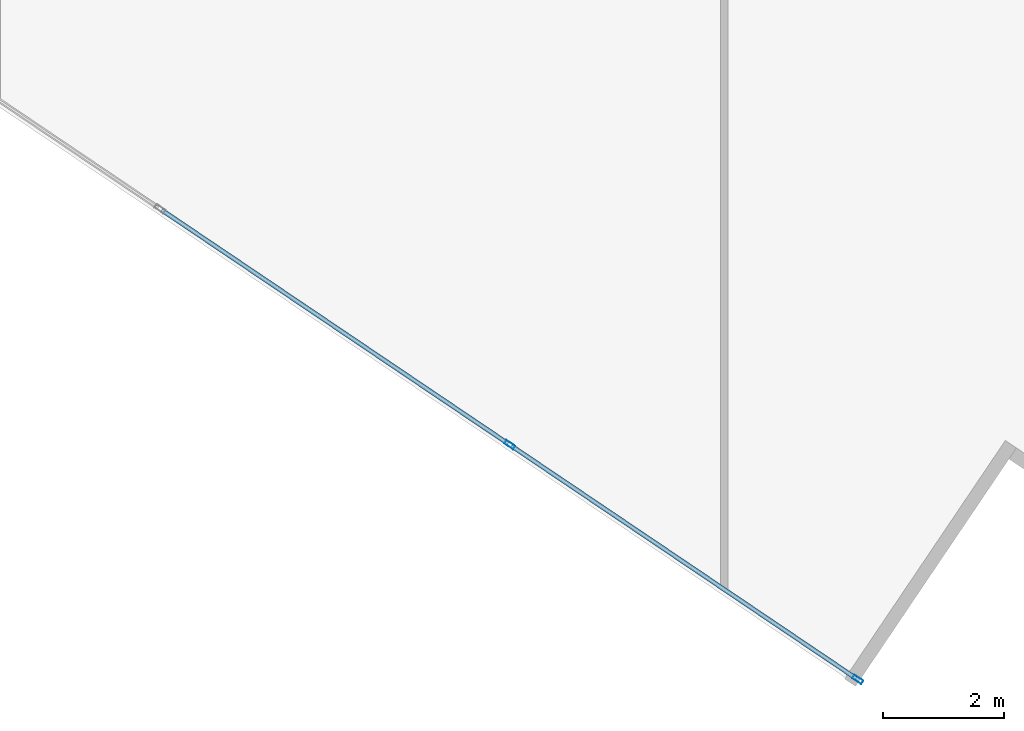
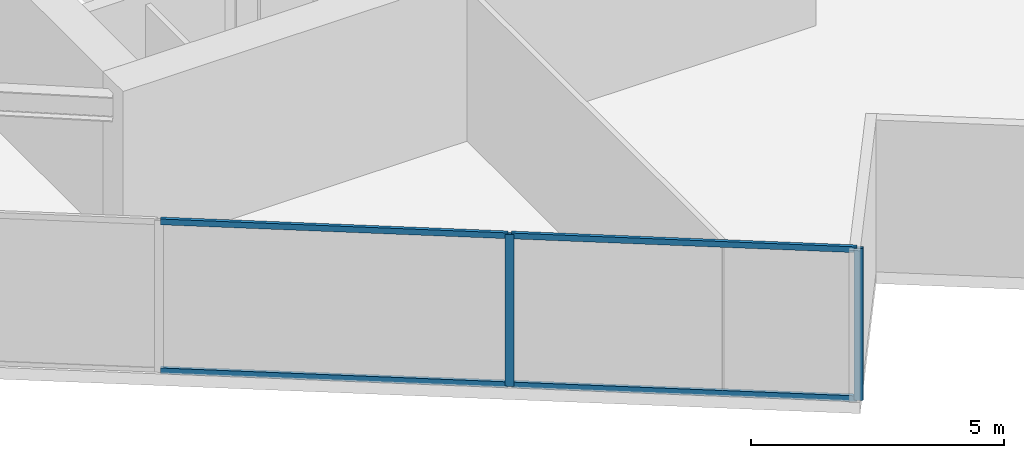
# One storey, part 3 of 27: 6 members, 1 element without a shape of its own.
"""IFC4 building model written with IfcOpenShell, lengths in metres."""

from ifc_helpers import new_model, si_unit, direction, frame, origin, origin_2d, place, context, subcontext, project, spatial, hollow_rectangle, extrude, source, transform, mapped, material, material_profile, profile_set, type_object, type_shapes, element, aggregate, save


model = new_model("IFC4")

# Units and contexts
model_context = context("Model", 3, precision=1e-05, world=origin(), true_north=direction((0.0, 1.0)))
body_context = subcontext(model_context, "Body", "Model", "MODEL_VIEW")
ifc_project = project(units=[si_unit("LENGTHUNIT", "METRE"), si_unit("AREAUNIT", "SQUARE_METRE"), si_unit("VOLUMEUNIT", "CUBIC_METRE"), si_unit("PLANEANGLEUNIT", "RADIAN"), si_unit("MASSUNIT", "GRAM", prefix="KILO")], contexts=[model_context])

# Site, building, storey
site_placement = place(None, origin())
site = spatial("IfcSite", under=ifc_project, at=site_placement, CompositionType="ELEMENT")
building_placement = place(site_placement, origin())
building = spatial("IfcBuilding", under=site, at=building_placement, Name="Krantzveldt Concourse Tower", CompositionType="ELEMENT")
storey_placement = place(building_placement, frame((0.0, 0.0, 189.64990234375)))
storey = spatial("IfcBuildingStorey", under=building, at=storey_placement, Name="L46", CompositionType="ELEMENT", Elevation=189.64990234375)

# Curtain wall, members
ifc_material = material(Name="Anodised aluminium 6063-T6", Category="aluminium")
curtain_wall_type = type_object("IfcCurtainWallType", Name="CW3", PredefinedType="USERDEFINED", material=ifc_material)
curtain_wall_placement = place(storey_placement, origin())
curtain_wall = element("IfcCurtainWall", 1, at=curtain_wall_placement, inside=storey, type_object=curtain_wall_type, Name="CW-L46-F04", ObjectType="UNITISED CURTAIN WALL", PredefinedType="USERDEFINED")
ifc_material_profile_1 = material_profile(ifc_material, hollow_rectangle(XDim=0.070068359375, YDim=0.179931640625, WallThickness=0.0048828125, at=origin_2d()), Name="Anodised aluminium 6063-T6", Category="aluminium")
ifc_profile_set_1 = profile_set([ifc_material_profile_1], Name="Anodised aluminium 6063-T6 - ALU-MULL 180x70x5")
member_type_1 = type_object("IfcMemberType", Name="CW-MUL-180", PredefinedType="MULLION", material=ifc_profile_set_1)
shared_shape_1 = source(origin(), body_context, "Body", "SweptSolid", [
    extrude(hollow_rectangle(XDim=0.070068359375, YDim=0.179931640625, WallThickness=0.0048828125, at=origin_2d()), origin(), (0.0, 0.0, 1.0), 3.670166015625),
])
type_shapes(member_type_1, [shared_shape_1])
member_1_placement = place(storey_placement, frame((32.459228515625, 2.78076171875, 0.0), z_axis=(0.0, 0.0, 1.0), x_axis=(0.559192810447, 0.829037635301, 0.0)))
member_1 = element("IfcMember", 2, at=member_1_placement, type_object=member_type_1, Name="CW-Z34 mullion 5", PredefinedType="MULLION", context=body_context, shape_type="MappedRepresentation", body=[
    mapped(shared_shape_1, transform((0.0, 0.0, 0.0), x_axis=(1.0, 0.0, 0.0), y_axis=(0.0, 1.0, 0.0), z_axis=(0.0, 0.0, 1.0), scale=1.0)),
])
member_2_placement = place(storey_placement, frame((38.2001953125, -1.091796875, 0.0), z_axis=(0.0, 0.0, 1.0), x_axis=(0.559192810447, 0.829037635301, 0.0)))
member_2 = element("IfcMember", 3, at=member_2_placement, type_object=member_type_1, Name="CW-Z34 mullion 6", PredefinedType="MULLION", context=body_context, shape_type="MappedRepresentation", body=[
    mapped(shared_shape_1, transform((0.0, 0.0, 0.0), x_axis=(1.0, 0.0, 0.0), y_axis=(0.0, 1.0, 0.0), z_axis=(0.0, 0.0, 1.0), scale=1.0)),
])
ifc_material_profile_2 = material_profile(ifc_material, hollow_rectangle(XDim=0.070068359375, YDim=0.139892578125, WallThickness=0.0048828125, at=origin_2d()), Name="Anodised aluminium 6063-T6", Category="aluminium")
ifc_profile_set_2 = profile_set([ifc_material_profile_2], Name="Anodised aluminium 6063-T6 - ALU-TRAN 140x70x5")
member_type_2 = type_object("IfcMemberType", Name="CW-TRN-150", PredefinedType="USERDEFINED", material=ifc_profile_set_2)
shared_shape_2 = source(origin(), body_context, "Body", "SweptSolid", [
    extrude(hollow_rectangle(XDim=0.070068359375, YDim=0.139892578125, WallThickness=0.0048828125, at=origin_2d()), origin(), (0.0, 0.0, 1.0), 6.89013671875),
])
member_3_placement = place(storey_placement, frame((26.718017578125, 6.653076171875, 0.03515625), z_axis=(0.829045387848, -0.559181316648, 0.0), x_axis=(0.559181316648, 0.829045387848, 0.0)))
member_3 = element("IfcMember", 4, at=member_3_placement, type_object=member_type_2, Name="CW-Z34 transom 4.1", ObjectType="TRANSOM", PredefinedType="USERDEFINED", context=body_context, shape_type="MappedRepresentation", body=[
    mapped(shared_shape_2, transform((0.0, 0.0, 0.0), x_axis=(1.0, 0.0, 0.0), y_axis=(0.0, 1.0, 0.0), z_axis=(0.0, 0.0, 1.0), scale=1.0)),
])
member_4_placement = place(storey_placement, frame((26.718017578125, 6.653076171875, 3.635009765625), z_axis=(0.829045387848, -0.559181316648, 0.0), x_axis=(0.559181316648, 0.829045387848, 0.0)))
member_4 = element("IfcMember", 5, at=member_4_placement, type_object=member_type_2, Name="CW-Z34 transom 4.2", ObjectType="TRANSOM", PredefinedType="USERDEFINED", context=body_context, shape_type="MappedRepresentation", body=[
    mapped(shared_shape_2, transform((0.0, 0.0, 0.0), x_axis=(1.0, 0.0, 0.0), y_axis=(0.0, 1.0, 0.0), z_axis=(0.0, 0.0, 1.0), scale=1.0)),
])
shared_shape_3 = source(origin(), body_context, "Body", "SweptSolid", [
    extrude(hollow_rectangle(XDim=0.070068359375, YDim=0.139892578125, WallThickness=0.0048828125, at=origin_2d()), origin(), (0.0, 0.0, 1.0), 6.854736328125),
])
type_shapes(member_type_2, [shared_shape_2, shared_shape_3])
member_5_placement = place(storey_placement, frame((32.48828125, 2.76123046875, 0.03515625), z_axis=(0.829029890577, -0.559204292303, 0.0), x_axis=(0.559204292303, 0.829029890577, 0.0)))
member_5 = element("IfcMember", 6, at=member_5_placement, type_object=member_type_2, Name="CW-Z34 transom 5.1", ObjectType="TRANSOM", PredefinedType="USERDEFINED", context=body_context, shape_type="MappedRepresentation", body=[
    mapped(shared_shape_3, transform((0.0, 0.0, 0.0), x_axis=(1.0, 0.0, 0.0), y_axis=(0.0, 1.0, 0.0), z_axis=(0.0, 0.0, 1.0), scale=1.0)),
])
member_6_placement = place(storey_placement, frame((32.48828125, 2.76123046875, 3.635009765625), z_axis=(0.829029890577, -0.559204292303, 0.0), x_axis=(0.559204292303, 0.829029890577, 0.0)))
member_6 = element("IfcMember", 7, at=member_6_placement, type_object=member_type_2, Name="CW-Z34 transom 5.2", ObjectType="TRANSOM", PredefinedType="USERDEFINED", context=body_context, shape_type="MappedRepresentation", body=[
    mapped(shared_shape_3, transform((0.0, 0.0, 0.0), x_axis=(1.0, 0.0, 0.0), y_axis=(0.0, 1.0, 0.0), z_axis=(0.0, 0.0, 1.0), scale=1.0)),
])
aggregate(curtain_wall, [member_1, member_2, member_3, member_4, member_5, member_6])

save(model, "model.ifc")
